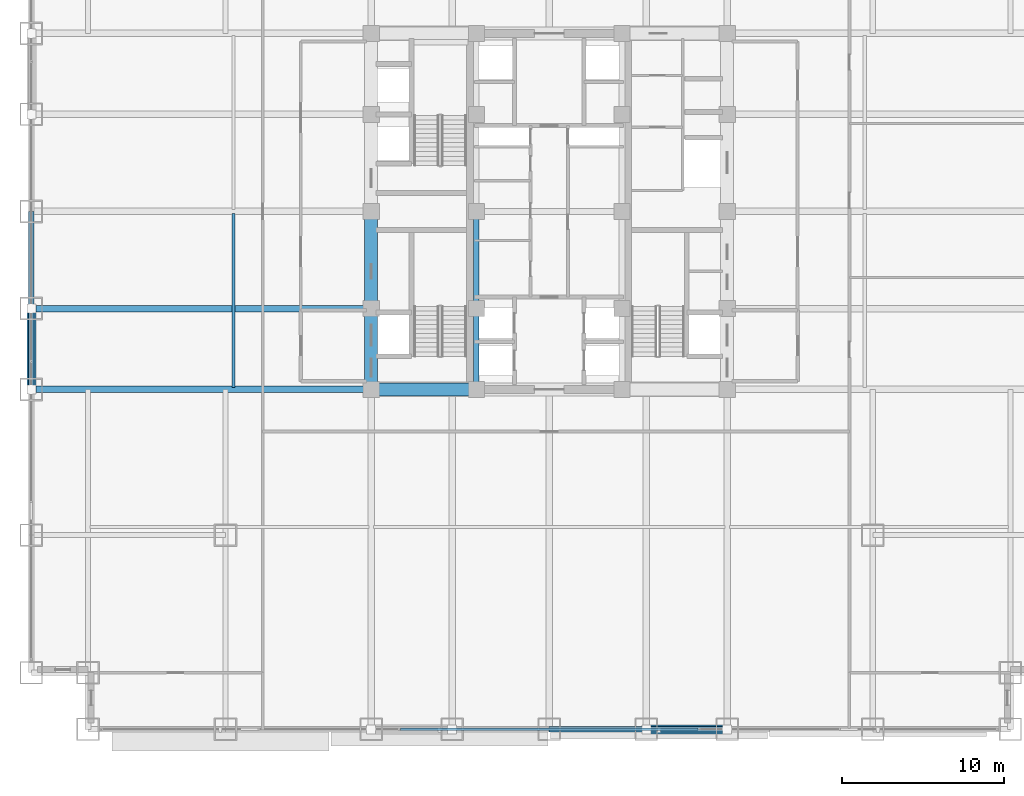
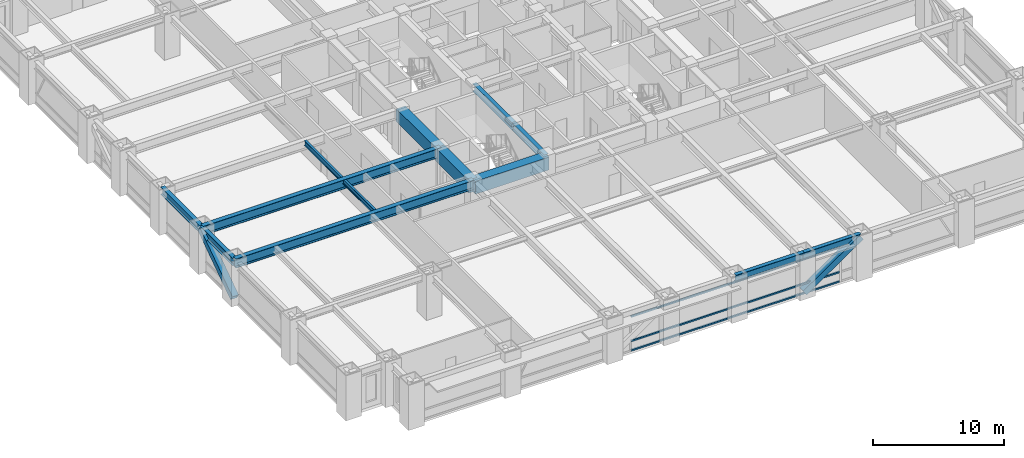
# One storey, part 7 of 31: 12 beams, 5 members, 1 element without a shape of its own.
"""IFC4 building model written with IfcOpenShell, lengths in metres."""

from ifc_helpers import new_model, si_unit, direction, frame, origin, origin_2d, place, context, subcontext, project, spatial, rectangle, hollow_rectangle, i_section, extrude, source, transform, mapped, material, material_profile, profile_set, type_object, element, aggregate, save


model = new_model("IFC4")

# Units and contexts
model_context = context("Model", 3, precision=1e-05, world=origin(), true_north=direction((0.0, 1.0)))
body_context = subcontext(model_context, "Body", "Model", "MODEL_VIEW")
ifc_project = project(units=[si_unit("LENGTHUNIT", "METRE"), si_unit("AREAUNIT", "SQUARE_METRE"), si_unit("VOLUMEUNIT", "CUBIC_METRE"), si_unit("PLANEANGLEUNIT", "RADIAN"), si_unit("MASSUNIT", "GRAM", prefix="KILO")], contexts=[model_context])

# Site, building, storey
site_placement = place(None, origin())
site = spatial("IfcSite", under=ifc_project, at=site_placement, CompositionType="ELEMENT")
building_placement = place(site_placement, origin())
building = spatial("IfcBuilding", under=site, at=building_placement, Name="Khorayat Bourse Tower", CompositionType="ELEMENT")
storey_placement = place(building_placement, frame((0.0, 0.0, 32.60009765625)))
storey = spatial("IfcBuildingStorey", under=building, at=storey_placement, Name="L06", CompositionType="ELEMENT", Elevation=32.60009765625)

# Beams
ifc_material_1 = material(Name="Concrete C72/90", Category="concrete")
ifc_material_profile_1 = material_profile(ifc_material_1, rectangle(XDim=0.800048828125, YDim=1.199951171875, at=origin_2d()), Name="RC 800x1200")
ifc_profile_set_1 = profile_set([ifc_material_profile_1], Name="Concrete C72/90")
beam_type_1 = type_object("IfcBeamType", Name="BM-COUP-1200", PredefinedType="BEAM", material=ifc_profile_set_1)
shared_shape_1 = source(origin(), body_context, "Body", "SweptSolid", [
    extrude(rectangle(XDim=0.800048828125, YDim=1.199951171875, at=origin_2d()), origin(), (0.0, 0.0, 1.0), 5.0),
])
beam_1_placement = place(storey_placement, frame((-11.0, -11.0, 3.33984375), z_axis=(0.0, 1.0, 0.0), x_axis=(-1.0, 0.0, 0.0)))
element("IfcBeam", 1, at=beam_1_placement, inside=storey, type_object=beam_type_1, Name="L06 BM-COUP-1200 BM-L06-CRX-01", PredefinedType="BEAM", context=body_context, shape_type="MappedRepresentation", body=[
    mapped(shared_shape_1, transform((0.0, 0.0, 0.0), scale=1.0)),
])
shared_shape_2 = source(origin(), body_context, "Body", "SweptSolid", [
    extrude(rectangle(XDim=0.800048828125, YDim=1.199951171875, at=origin_2d()), origin(), (0.0, 0.0, 1.0), 6.0),
])
beam_2_placement = place(storey_placement, frame((-11.0, -6.0, 3.33984375), z_axis=(0.0, 1.0, 0.0), x_axis=(-1.0, 0.0, 0.0)))
element("IfcBeam", 2, at=beam_2_placement, inside=storey, type_object=beam_type_1, Name="L06 BM-COUP-1200 BM-L06-CRX-02", PredefinedType="BEAM", context=body_context, shape_type="MappedRepresentation", body=[
    mapped(shared_shape_2, transform((0.0, 0.0, 0.0), scale=1.0)),
])
ifc_material_2 = material(Name="Steel ASTM A992 Grade 50", Category="steel")
ifc_material_profile_2 = material_profile(ifc_material_2, i_section(OverallWidth=0.35498046875, OverallDepth=0.695068359375, WebThickness=0.015380859375, FlangeThickness=0.02490234375, FilletRadius=0.01806640625, at=origin_2d()), Name="W690X217")
ifc_profile_set_2 = profile_set([ifc_material_profile_2], Name="Steel ASTM A992 Grade 50")
beam_type_2 = type_object("IfcBeamType", Name="BM-GIRD-690", PredefinedType="BEAM", material=ifc_profile_set_2)
shared_shape_3 = source(origin(), body_context, "Body", "SweptSolid", [
    extrude(i_section(OverallWidth=0.35498046875, OverallDepth=0.695068359375, WebThickness=0.015380859375, FlangeThickness=0.02490234375, FilletRadius=0.01806640625, at=origin_2d()), origin(), (0.0, 0.0, 1.0), 5.0),
])
beam_3_placement = place(storey_placement, frame((-4.5, -11.0, 3.59228515625), z_axis=(0.0, 1.0, 0.0), x_axis=(-1.0, 0.0, 0.0)))
element("IfcBeam", 3, at=beam_3_placement, inside=storey, type_object=beam_type_2, Name="L06 BM-GIRD-690 BM-L06-CRX-05", PredefinedType="BEAM", context=body_context, shape_type="MappedRepresentation", body=[
    mapped(shared_shape_3, transform((0.0, 0.0, 0.0), scale=1.0)),
])
shared_shape_4 = source(origin(), body_context, "Body", "SweptSolid", [
    extrude(i_section(OverallWidth=0.35498046875, OverallDepth=0.695068359375, WebThickness=0.015380859375, FlangeThickness=0.02490234375, FilletRadius=0.01806640625, at=origin_2d()), origin(), (0.0, 0.0, 1.0), 6.0),
])
beam_4_placement = place(storey_placement, frame((-4.5, -6.0, 3.59228515625), z_axis=(0.0, 1.0, 0.0), x_axis=(-1.0, 0.0, 0.0)))
element("IfcBeam", 4, at=beam_4_placement, inside=storey, type_object=beam_type_2, Name="L06 BM-GIRD-690 BM-L06-CRX-06", PredefinedType="BEAM", context=body_context, shape_type="MappedRepresentation", body=[
    mapped(shared_shape_4, transform((0.0, 0.0, 0.0), scale=1.0)),
])
shared_shape_5 = source(origin(), body_context, "Body", "SweptSolid", [
    extrude(rectangle(XDim=0.800048828125, YDim=1.199951171875, at=origin_2d()), origin(), (0.0, 0.0, 1.0), 6.5),
])
beam_5_placement = place(storey_placement, frame((-11.0, -11.0, 3.33984375), z_axis=(1.0, 0.0, 0.0), x_axis=(0.0, 1.0, 0.0)))
element("IfcBeam", 5, at=beam_5_placement, inside=storey, type_object=beam_type_1, Name="L06 BM-COUP-1200 BM-L06-CRY-17", PredefinedType="BEAM", context=body_context, shape_type="MappedRepresentation", body=[
    mapped(shared_shape_5, transform((0.0, 0.0, 0.0), scale=1.0)),
])
ifc_material_profile_3 = material_profile(ifc_material_2, i_section(OverallWidth=0.35498046875, OverallDepth=0.695068359375, WebThickness=0.015380859375, FlangeThickness=0.02490234375, FilletRadius=0.01806640625, at=origin_2d()), Name="W690X217")
ifc_profile_set_3 = profile_set([ifc_material_profile_3], Name="Steel ASTM A992 Grade 50")
beam_type_3 = type_object("IfcBeamType", Name="BM-SPAN-690", PredefinedType="SPANDREL", material=ifc_profile_set_3)
shared_shape_6 = source(origin(), body_context, "Body", "SweptSolid", [
    extrude(i_section(OverallWidth=0.35498046875, OverallDepth=0.695068359375, WebThickness=0.015380859375, FlangeThickness=0.02490234375, FilletRadius=0.01806640625, at=origin_2d()), origin(), (0.0, 0.0, 1.0), 5.0),
])
for number, where, z_axis, x_axis, name in (
    (6, (6.0, -32.0, 3.59228515625), (1.0, 0.0, 0.0), (0.0, 1.0, 0.0), "L06 BM-SPAN-690 BM-L06-SPN-029"),
    (7, (-32.0, -11.0, 3.59228515625), (0.0, 1.0, 0.0), (-1.0, 0.0, 0.0), "L06 BM-SPAN-690 BM-L06-SPN-059"),
):
    element("IfcBeam", number, at=place(storey_placement, frame(where, z_axis=z_axis, x_axis=x_axis)), inside=storey, type_object=beam_type_3, Name=name, PredefinedType="SPANDREL", context=body_context, shape_type="MappedRepresentation", body=[
        mapped(shared_shape_6, transform((0.0, 0.0, 0.0), scale=1.0)),
    ])
shared_shape_7 = source(origin(), body_context, "Body", "SweptSolid", [
    extrude(i_section(OverallWidth=0.35498046875, OverallDepth=0.695068359375, WebThickness=0.015380859375, FlangeThickness=0.02490234375, FilletRadius=0.01806640625, at=origin_2d()), origin(), (0.0, 0.0, 1.0), 6.0),
])
for number, where, z_axis, x_axis, name in (
    (8, (0.0, -32.0, 3.59228515625), (1.0, 0.0, 0.0), (0.0, 1.0, 0.0), "L06 BM-SPAN-690 BM-L06-SPN-028"),
    (9, (-32.0, -6.0, 3.59228515625), (0.0, 1.0, 0.0), (-1.0, 0.0, 0.0), "L06 BM-SPAN-690 BM-L06-SPN-058"),
):
    element("IfcBeam", number, at=place(storey_placement, frame(where, z_axis=z_axis, x_axis=x_axis)), inside=storey, type_object=beam_type_3, Name=name, PredefinedType="SPANDREL", context=body_context, shape_type="MappedRepresentation", body=[
        mapped(shared_shape_7, transform((0.0, 0.0, 0.0), scale=1.0)),
    ])
ifc_material_profile_4 = material_profile(ifc_material_2, i_section(OverallWidth=0.39990234375, OverallDepth=0.85498046875, WebThickness=0.018310546875, FlangeThickness=0.029296875, FilletRadius=0.02001953125, at=origin_2d()), Name="W840X299")
ifc_profile_set_4 = profile_set([ifc_material_profile_4], Name="Steel ASTM A992 Grade 50")
beam_type_4 = type_object("IfcBeamType", Name="BM-GIRD-840", PredefinedType="BEAM", material=ifc_profile_set_4)
shared_shape_8 = source(origin(), body_context, "Body", "SweptSolid", [
    extrude(i_section(OverallWidth=0.39990234375, OverallDepth=0.85498046875, WebThickness=0.018310546875, FlangeThickness=0.029296875, FilletRadius=0.02001953125, at=origin_2d()), origin(), (0.0, 0.0, 1.0), 21.0),
])
for number, where, z_axis, x_axis, name in (
    (10, (-32.0, -11.0, 3.512451171875), (1.0, 0.0, 0.0), (0.0, 1.0, 0.0), "L06 BM-GIRD-840 BM-L06-RADX-075"),
    (11, (-32.0, -6.0, 3.512451171875), (1.0, 0.0, 0.0), (0.0, 1.0, 0.0), "L06 BM-GIRD-840 BM-L06-RADX-077"),
):
    element("IfcBeam", number, at=place(storey_placement, frame(where, z_axis=z_axis, x_axis=x_axis)), inside=storey, type_object=beam_type_4, Name=name, PredefinedType="BEAM", context=body_context, shape_type="MappedRepresentation", body=[
        mapped(shared_shape_8, transform((0.0, 0.0, 0.0), scale=1.0)),
    ])
ifc_material_profile_5 = material_profile(ifc_material_2, i_section(OverallWidth=0.194091796875, OverallDepth=0.468994140625, WebThickness=0.0126953125, FlangeThickness=0.0205078125, FilletRadius=0.012939453125, at=origin_2d()), Name="W460X106")
ifc_profile_set_5 = profile_set([ifc_material_profile_5], Name="Steel ASTM A992 Grade 50")
beam_type_5 = type_object("IfcBeamType", Name="BM-JOIST-460", PredefinedType="JOIST", material=ifc_profile_set_5)
shared_shape_9 = source(origin(), body_context, "Body", "SweptSolid", [
    extrude(i_section(OverallWidth=0.194091796875, OverallDepth=0.468994140625, WebThickness=0.0126953125, FlangeThickness=0.0205078125, FilletRadius=0.012939453125, at=origin_2d()), origin(), (0.0, 0.0, 1.0), 10.740234375),
])
beam_6_placement = place(storey_placement, frame((-19.5, -10.8701171875, 3.705322265625), z_axis=(0.0, 1.0, 0.0), x_axis=(-1.0, 0.0, 0.0)))
element("IfcBeam", 12, at=beam_6_placement, inside=storey, type_object=beam_type_5, Name="L06 BM-JOIST-460 BM-L06-JSTY-102", PredefinedType="JOIST", context=body_context, shape_type="MappedRepresentation", body=[
    mapped(shared_shape_9, transform((0.0, 0.0, 0.0), scale=1.0)),
])

# Members
ifc_material_3 = material(Name="Steel EN 10025-4 S460M", Category="steel")
ifc_material_profile_6 = material_profile(ifc_material_3, hollow_rectangle(XDim=0.550048828125, YDim=0.550048828125, WallThickness=0.031982421875, at=origin_2d()), Name="HSS 550x550x32")
ifc_profile_set_6 = profile_set([ifc_material_profile_6], Name="Steel EN 10025-4 S460M")
member_type_1 = type_object("IfcMemberType", Name="MBR-TUBE-550", PredefinedType="BRACE", material=ifc_profile_set_6)
shared_shape_10 = source(origin(), body_context, "Body", "SweptSolid", [
    extrude(hollow_rectangle(XDim=0.550048828125, YDim=0.550048828125, WallThickness=0.031982421875, at=origin_2d()), origin(), (0.0, 0.0, 1.0), 6.069091796875),
])
for number, where, z_axis, x_axis, name in (
    (13, (6.0, -32.0, 0.25), (0.823854080622, 0.0, 0.566801952928), (0.0, 1.0, 0.0), "L06 Perimeter Tube Brace 02"),
    (14, (-32.0, -11.0, 0.25), (0.0, 0.823854080622, 0.566801952928), (-1.0, 0.0, 0.0), "L06 Perimeter Tube Brace 05"),
):
    element("IfcMember", number, at=place(storey_placement, frame(where, z_axis=z_axis, x_axis=x_axis)), inside=storey, type_object=member_type_1, Name=name, PredefinedType="BRACE", context=body_context, shape_type="MappedRepresentation", body=[
        mapped(shared_shape_10, transform((0.0, 0.0, 0.0), scale=1.0)),
    ])

# Curtain wall, members
ifc_material_4 = material(Name="Aluminium EN AW-6063 T6", Category="aluminium")
curtain_wall_type = type_object("IfcCurtainWallType", Name="CW-SYS-02", PredefinedType="NOTDEFINED", material=ifc_material_4)
curtain_wall_placement = place(storey_placement, origin())
curtain_wall = element("IfcCurtainWall", 15, at=curtain_wall_placement, inside=storey, type_object=curtain_wall_type, Name="L06 Curtain Wall CW-L06-S1", PredefinedType="NOTDEFINED")
ifc_material_profile_7 = material_profile(ifc_material_4, hollow_rectangle(XDim=0.139892578125, YDim=0.139892578125, WallThickness=0.006103515625, at=origin_2d()), Name="ALU 140x140x6")
ifc_profile_set_7 = profile_set([ifc_material_profile_7], Name="Aluminium EN AW-6063 T6")
member_type_2 = type_object("IfcMemberType", Name="CWT-HORZ-140", PredefinedType="USERDEFINED", material=ifc_profile_set_7)
shared_shape_11 = source(origin(), body_context, "Body", "SweptSolid", [
    extrude(hollow_rectangle(XDim=0.139892578125, YDim=0.139892578125, WallThickness=0.006103515625, at=origin_2d()), origin(), (0.0, 0.0, 1.0), 18.35986328125),
])
member_1_placement = place(storey_placement, frame((-9.179931640625, -32.0, 0.06982421875), z_axis=(1.0, 0.0, 0.0), x_axis=(0.0, 1.0, 0.0)))
member_1 = element("IfcMember", 16, at=member_1_placement, type_object=member_type_2, Name="CW-L06-S1 Horizontal Transom 2-1", ObjectType="TRANSOM", PredefinedType="USERDEFINED", context=body_context, shape_type="MappedRepresentation", body=[
    mapped(shared_shape_11, transform((0.0, 0.0, 0.0), scale=1.0)),
])
member_2_placement = place(storey_placement, frame((-9.179931640625, -32.0, 0.949951171875), z_axis=(1.0, 0.0, 0.0), x_axis=(0.0, 1.0, 0.0)))
member_2 = element("IfcMember", 17, at=member_2_placement, type_object=member_type_2, Name="CW-L06-S1 Horizontal Transom 2-2", ObjectType="TRANSOM", PredefinedType="USERDEFINED", context=body_context, shape_type="MappedRepresentation", body=[
    mapped(shared_shape_11, transform((0.0, 0.0, 0.0), scale=1.0)),
])
member_3_placement = place(storey_placement, frame((-9.179931640625, -32.0, 3.219970703125), z_axis=(1.0, 0.0, 0.0), x_axis=(0.0, 1.0, 0.0)))
member_3 = element("IfcMember", 18, at=member_3_placement, type_object=member_type_2, Name="CW-L06-S1 Horizontal Transom 2-3", ObjectType="TRANSOM", PredefinedType="USERDEFINED", context=body_context, shape_type="MappedRepresentation", body=[
    mapped(shared_shape_11, transform((0.0, 0.0, 0.0), scale=1.0)),
])
aggregate(curtain_wall, [member_1, member_2, member_3])

save(model, "model.ifc")
